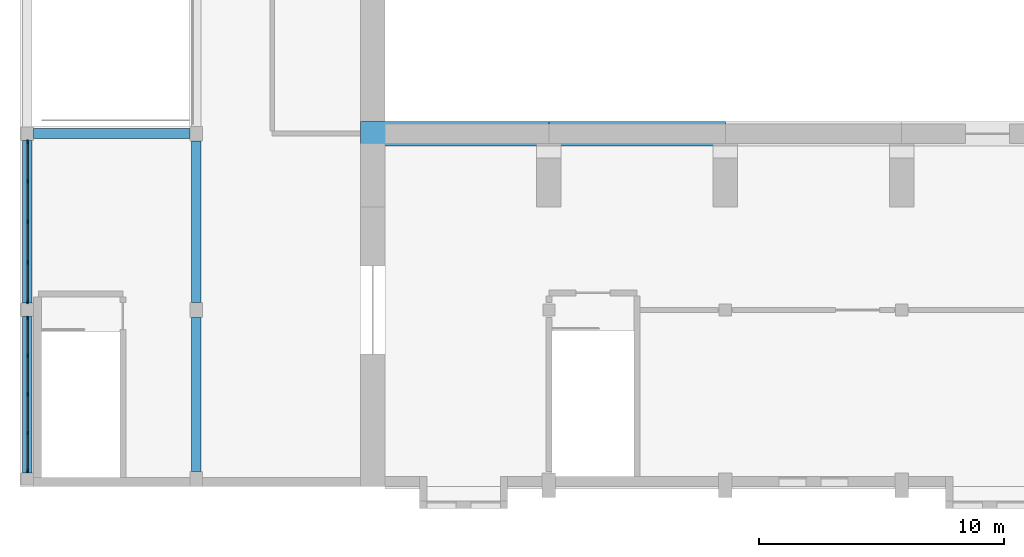
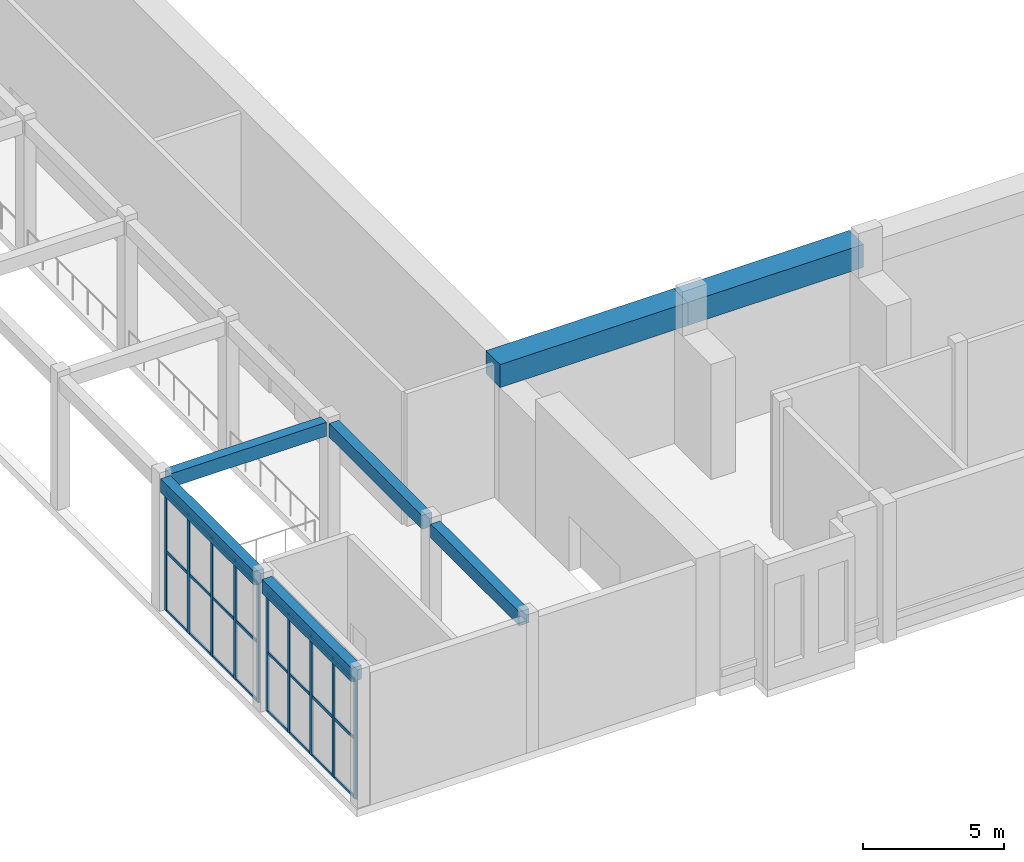
# One storey, part 3 of 44: 34 members, 7 beams, 2 elements without a shape of their own.
"""IFC4 building model written with IfcOpenShell, lengths in metres."""

from ifc_helpers import new_model, si_unit, direction, frame, origin, origin_2d, place, context, subcontext, project, spatial, rectangle, extrude, material, material_profile, profile_set, type_object, element, aggregate, save


model = new_model("IFC4")

# Units and contexts
model_context = context("Model", 3, precision=1e-05, world=origin(), true_north=direction((0.0, 1.0)))
body_context = subcontext(model_context, "Body", "Model", "MODEL_VIEW")
ifc_project = project(units=[si_unit("LENGTHUNIT", "METRE"), si_unit("AREAUNIT", "SQUARE_METRE"), si_unit("VOLUMEUNIT", "CUBIC_METRE"), si_unit("PLANEANGLEUNIT", "RADIAN"), si_unit("MASSUNIT", "GRAM", prefix="KILO")], contexts=[model_context])

# Site, building, storey
site_placement = place(None, origin())
site = spatial("IfcSite", under=ifc_project, at=site_placement, CompositionType="ELEMENT")
building_placement = place(site_placement, origin())
building = spatial("IfcBuilding", under=site, at=building_placement, Name="Vermilion Court Aquatics Centre", CompositionType="ELEMENT")
storey_placement = place(building_placement, frame((0.0, 0.0, 6.0)))
storey = spatial("IfcBuildingStorey", under=building, at=storey_placement, Name="L01", CompositionType="ELEMENT", Elevation=6.0)

# Curtain wall, members
ifc_material_1 = material(Name="Aluminium 6063-T5", Category="aluminium")
curtain_wall_type = type_object("IfcCurtainWallType", Name="Foyer curtain wall", PredefinedType="NOTDEFINED", material=ifc_material_1)
curtain_wall_1_placement = place(storey_placement, origin())
curtain_wall_1 = element("IfcCurtainWall", 1, at=curtain_wall_1_placement, inside=storey, type_object=curtain_wall_type, Name="Foyer curtain wall 1", PredefinedType="NOTDEFINED")
ifc_material_2 = material(Name="Aluminium 6063-T5", Category="aluminium")
ifc_material_profile_1 = material_profile(ifc_material_2, rectangle(XDim=0.06005859375, YDim=0.159912109375, at=origin_2d()), Name="Aluminium 60x160")
ifc_profile_set_1 = profile_set([ifc_material_profile_1], Name="Aluminium 6063-T5")
member_type_1 = type_object("IfcMemberType", Name="Foyer mullion 60x160", PredefinedType="MULLION", material=ifc_profile_set_1)
member_1_placement = place(storey_placement, frame((0.300048828125, 0.6298828125, 0.0), z_axis=(0.0, 0.0, 1.0), x_axis=(-1.0, 0.0, 0.0)))
member_1 = element("IfcMember", 2, at=member_1_placement, type_object=member_type_1, Name="FCW1 mullion 1", PredefinedType="MULLION", context=body_context, shape_type="SweptSolid", body=[
    extrude(rectangle(XDim=0.06005859375, YDim=0.159912109375, at=origin_2d()), origin(), (0.0, 0.0, 1.0), 5.14990234375),
])
member_2_placement = place(storey_placement, frame((0.300048828125, 2.175048828125, 0.0), z_axis=(0.0, 0.0, 1.0), x_axis=(-1.0, 0.0, 0.0)))
member_2 = element("IfcMember", 3, at=member_2_placement, type_object=member_type_1, Name="FCW1 mullion 2", PredefinedType="MULLION", context=body_context, shape_type="SweptSolid", body=[
    extrude(rectangle(XDim=0.06005859375, YDim=0.159912109375, at=origin_2d()), origin(), (0.0, 0.0, 1.0), 5.14990234375),
])
member_3_placement = place(storey_placement, frame((0.300048828125, 3.75, 0.0), z_axis=(0.0, 0.0, 1.0), x_axis=(-1.0, 0.0, 0.0)))
member_3 = element("IfcMember", 4, at=member_3_placement, type_object=member_type_1, Name="FCW1 mullion 3", PredefinedType="MULLION", context=body_context, shape_type="SweptSolid", body=[
    extrude(rectangle(XDim=0.06005859375, YDim=0.159912109375, at=origin_2d()), origin(), (0.0, 0.0, 1.0), 5.14990234375),
])
member_4_placement = place(storey_placement, frame((0.300048828125, 5.324951171875, 0.0), z_axis=(0.0, 0.0, 1.0), x_axis=(-1.0, 0.0, 0.0)))
member_4 = element("IfcMember", 5, at=member_4_placement, type_object=member_type_1, Name="FCW1 mullion 4", PredefinedType="MULLION", context=body_context, shape_type="SweptSolid", body=[
    extrude(rectangle(XDim=0.06005859375, YDim=0.159912109375, at=origin_2d()), origin(), (0.0, 0.0, 1.0), 5.14990234375),
])
member_5_placement = place(storey_placement, frame((0.300048828125, 6.8701171875, 0.0), z_axis=(0.0, 0.0, 1.0), x_axis=(-1.0, 0.0, 0.0)))
member_5 = element("IfcMember", 6, at=member_5_placement, type_object=member_type_1, Name="FCW1 mullion 5", PredefinedType="MULLION", context=body_context, shape_type="SweptSolid", body=[
    extrude(rectangle(XDim=0.06005859375, YDim=0.159912109375, at=origin_2d()), origin(), (0.0, 0.0, 1.0), 5.14990234375),
])

curtain_wall_2_placement = place(storey_placement, origin())
curtain_wall_2 = element("IfcCurtainWall", 7, at=curtain_wall_2_placement, inside=storey, type_object=curtain_wall_type, Name="Foyer curtain wall 2", PredefinedType="NOTDEFINED")
member_6_placement = place(storey_placement, frame((0.300048828125, 7.530029296875, 0.0), z_axis=(0.0, 0.0, 1.0), x_axis=(-1.0, 0.0, 0.0)))
member_6 = element("IfcMember", 8, at=member_6_placement, type_object=member_type_1, Name="FCW1 mullion 1", PredefinedType="MULLION", context=body_context, shape_type="SweptSolid", body=[
    extrude(rectangle(XDim=0.06005859375, YDim=0.159912109375, at=origin_2d()), origin(), (0.0, 0.0, 1.0), 5.14990234375),
])
member_7_placement = place(storey_placement, frame((0.300048828125, 9.14990234375, 0.0), z_axis=(0.0, 0.0, 1.0), x_axis=(-1.0, 0.0, 0.0)))
member_7 = element("IfcMember", 9, at=member_7_placement, type_object=member_type_1, Name="FCW1 mullion 2", PredefinedType="MULLION", context=body_context, shape_type="SweptSolid", body=[
    extrude(rectangle(XDim=0.06005859375, YDim=0.159912109375, at=origin_2d()), origin(), (0.0, 0.0, 1.0), 5.14990234375),
])
member_8_placement = place(storey_placement, frame((0.300048828125, 10.800048828125, 0.0), z_axis=(0.0, 0.0, 1.0), x_axis=(-1.0, 0.0, 0.0)))
member_8 = element("IfcMember", 10, at=member_8_placement, type_object=member_type_1, Name="FCW1 mullion 3", PredefinedType="MULLION", context=body_context, shape_type="SweptSolid", body=[
    extrude(rectangle(XDim=0.06005859375, YDim=0.159912109375, at=origin_2d()), origin(), (0.0, 0.0, 1.0), 5.14990234375),
])
member_9_placement = place(storey_placement, frame((0.300048828125, 12.449951171875, 0.0), z_axis=(0.0, 0.0, 1.0), x_axis=(-1.0, 0.0, 0.0)))
member_9 = element("IfcMember", 11, at=member_9_placement, type_object=member_type_1, Name="FCW1 mullion 4", PredefinedType="MULLION", context=body_context, shape_type="SweptSolid", body=[
    extrude(rectangle(XDim=0.06005859375, YDim=0.159912109375, at=origin_2d()), origin(), (0.0, 0.0, 1.0), 5.14990234375),
])
member_10_placement = place(storey_placement, frame((0.300048828125, 14.070068359375, 0.0), z_axis=(0.0, 0.0, 1.0), x_axis=(-1.0, 0.0, 0.0)))
member_10 = element("IfcMember", 12, at=member_10_placement, type_object=member_type_1, Name="FCW1 mullion 5", PredefinedType="MULLION", context=body_context, shape_type="SweptSolid", body=[
    extrude(rectangle(XDim=0.06005859375, YDim=0.159912109375, at=origin_2d()), origin(), (0.0, 0.0, 1.0), 5.14990234375),
])

# Beams
ifc_material_3 = material(Name="Concrete 5000 psi", Category="concrete")
ifc_material_profile_2 = material_profile(ifc_material_3, rectangle(XDim=0.39990234375, YDim=0.60009765625, at=origin_2d()), Name="RC 400x600")
ifc_profile_set_2 = profile_set([ifc_material_profile_2], Name="Concrete 5000 psi")
beam_type_1 = type_object("IfcBeamType", Name="Foyer roof beam RC 400x600", PredefinedType="BEAM", material=ifc_profile_set_2)
beam_1_placement = place(storey_placement, frame((0.300048828125, 0.550048828125, 5.449951171875), z_axis=(0.0, 1.0, 0.0), x_axis=(-1.0, 0.0, 0.0)))
element("IfcBeam", 13, at=beam_1_placement, inside=storey, type_object=beam_type_1, Name="Foyer roof beam", PredefinedType="BEAM", context=body_context, shape_type="SweptSolid", body=[
    extrude(rectangle(XDim=0.39990234375, YDim=0.60009765625, at=origin_2d()), origin(), (0.0, 0.0, 1.0), 6.375),
])
beam_2_placement = place(storey_placement, frame((0.300048828125, 7.47509765625, 5.449951171875), z_axis=(0.0, 1.0, 0.0), x_axis=(-1.0, 0.0, 0.0)))
element("IfcBeam", 14, at=beam_2_placement, inside=storey, type_object=beam_type_1, Name="Foyer roof beam", PredefinedType="BEAM", context=body_context, shape_type="SweptSolid", body=[
    extrude(rectangle(XDim=0.39990234375, YDim=0.60009765625, at=origin_2d()), origin(), (0.0, 0.0, 1.0), 6.64990234375),
])
beam_3_placement = place(storey_placement, frame((7.199951171875, 0.60009765625, 5.449951171875), z_axis=(0.0, 1.0, 0.0), x_axis=(-1.0, 0.0, 0.0)))
element("IfcBeam", 15, at=beam_3_placement, inside=storey, type_object=beam_type_1, Name="Foyer roof beam", PredefinedType="BEAM", context=body_context, shape_type="SweptSolid", body=[
    extrude(rectangle(XDim=0.39990234375, YDim=0.60009765625, at=origin_2d()), origin(), (0.0, 0.0, 1.0), 6.2998046875),
])
beam_4_placement = place(storey_placement, frame((7.199951171875, 7.5, 5.449951171875), z_axis=(0.0, 1.0, 0.0), x_axis=(-1.0, 0.0, 0.0)))
element("IfcBeam", 16, at=beam_4_placement, inside=storey, type_object=beam_type_1, Name="Foyer roof beam", PredefinedType="BEAM", context=body_context, shape_type="SweptSolid", body=[
    extrude(rectangle(XDim=0.39990234375, YDim=0.60009765625, at=origin_2d()), origin(), (0.0, 0.0, 1.0), 6.60009765625),
])
beam_5_placement = place(storey_placement, frame((0.550048828125, 14.39990234375, 5.449951171875), z_axis=(1.0, 0.0, 0.0), x_axis=(0.0, 1.0, 0.0)))
element("IfcBeam", 17, at=beam_5_placement, inside=storey, type_object=beam_type_1, Name="Foyer roof beam", PredefinedType="BEAM", context=body_context, shape_type="SweptSolid", body=[
    extrude(rectangle(XDim=0.39990234375, YDim=0.60009765625, at=origin_2d()), origin(), (0.0, 0.0, 1.0), 6.39990234375),
])

# Member
ifc_material_4 = material(Name="Aluminium 6063-T5", Category="aluminium")
ifc_material_profile_3 = material_profile(ifc_material_4, rectangle(XDim=0.06005859375, YDim=0.1201171875, at=origin_2d()), Name="Aluminium 60x120")
ifc_profile_set_3 = profile_set([ifc_material_profile_3], Name="Aluminium 6063-T5")
member_type_2 = type_object("IfcMemberType", Name="Foyer transom 60x120", PredefinedType="USERDEFINED", material=ifc_profile_set_3)
member_11_placement = place(storey_placement, frame((0.300048828125, 0.659912109375, 0.030029296875), z_axis=(0.0, 1.0, 0.0), x_axis=(-1.0, 0.0, 0.0)))
member_11 = element("IfcMember", 18, at=member_11_placement, type_object=member_type_2, Name="FCW1 transom 1.1", ObjectType="TRANSOM", PredefinedType="USERDEFINED", context=body_context, shape_type="SweptSolid", body=[
    extrude(rectangle(XDim=0.06005859375, YDim=0.1201171875, at=origin_2d()), origin(), (0.0, 0.0, 1.0), 1.485107421875),
])

member_12_placement = place(storey_placement, frame((0.300048828125, 0.659912109375, 2.574951171875), z_axis=(0.0, 1.0, 0.0), x_axis=(-1.0, 0.0, 0.0)))
member_12 = element("IfcMember", 19, at=member_12_placement, type_object=member_type_2, Name="FCW1 transom 1.2", ObjectType="TRANSOM", PredefinedType="USERDEFINED", context=body_context, shape_type="SweptSolid", body=[
    extrude(rectangle(XDim=0.06005859375, YDim=0.1201171875, at=origin_2d()), origin(), (0.0, 0.0, 1.0), 1.485107421875),
])

member_13_placement = place(storey_placement, frame((0.300048828125, 0.659912109375, 5.1201171875), z_axis=(0.0, 1.0, 0.0), x_axis=(-1.0, 0.0, 0.0)))
member_13 = element("IfcMember", 20, at=member_13_placement, type_object=member_type_2, Name="FCW1 transom 1.3", ObjectType="TRANSOM", PredefinedType="USERDEFINED", context=body_context, shape_type="SweptSolid", body=[
    extrude(rectangle(XDim=0.06005859375, YDim=0.1201171875, at=origin_2d()), origin(), (0.0, 0.0, 1.0), 1.485107421875),
])

member_14_placement = place(storey_placement, frame((0.300048828125, 2.205078125, 0.030029296875), z_axis=(0.0, 1.0, 0.0), x_axis=(-1.0, 0.0, 0.0)))
member_14 = element("IfcMember", 21, at=member_14_placement, type_object=member_type_2, Name="FCW1 transom 2.1", ObjectType="TRANSOM", PredefinedType="USERDEFINED", context=body_context, shape_type="SweptSolid", body=[
    extrude(rectangle(XDim=0.06005859375, YDim=0.1201171875, at=origin_2d()), origin(), (0.0, 0.0, 1.0), 1.514892578125),
])

member_15_placement = place(storey_placement, frame((0.300048828125, 2.205078125, 2.574951171875), z_axis=(0.0, 1.0, 0.0), x_axis=(-1.0, 0.0, 0.0)))
member_15 = element("IfcMember", 22, at=member_15_placement, type_object=member_type_2, Name="FCW1 transom 2.2", ObjectType="TRANSOM", PredefinedType="USERDEFINED", context=body_context, shape_type="SweptSolid", body=[
    extrude(rectangle(XDim=0.06005859375, YDim=0.1201171875, at=origin_2d()), origin(), (0.0, 0.0, 1.0), 1.514892578125),
])

member_16_placement = place(storey_placement, frame((0.300048828125, 2.205078125, 5.1201171875), z_axis=(0.0, 1.0, 0.0), x_axis=(-1.0, 0.0, 0.0)))
member_16 = element("IfcMember", 23, at=member_16_placement, type_object=member_type_2, Name="FCW1 transom 2.3", ObjectType="TRANSOM", PredefinedType="USERDEFINED", context=body_context, shape_type="SweptSolid", body=[
    extrude(rectangle(XDim=0.06005859375, YDim=0.1201171875, at=origin_2d()), origin(), (0.0, 0.0, 1.0), 1.514892578125),
])

member_17_placement = place(storey_placement, frame((0.300048828125, 3.780029296875, 0.030029296875), z_axis=(0.0, 1.0, 0.0), x_axis=(-1.0, 0.0, 0.0)))
member_17 = element("IfcMember", 24, at=member_17_placement, type_object=member_type_2, Name="FCW1 transom 3.1", ObjectType="TRANSOM", PredefinedType="USERDEFINED", context=body_context, shape_type="SweptSolid", body=[
    extrude(rectangle(XDim=0.06005859375, YDim=0.1201171875, at=origin_2d()), origin(), (0.0, 0.0, 1.0), 1.514892578125),
])

member_18_placement = place(storey_placement, frame((0.300048828125, 3.780029296875, 2.574951171875), z_axis=(0.0, 1.0, 0.0), x_axis=(-1.0, 0.0, 0.0)))
member_18 = element("IfcMember", 25, at=member_18_placement, type_object=member_type_2, Name="FCW1 transom 3.2", ObjectType="TRANSOM", PredefinedType="USERDEFINED", context=body_context, shape_type="SweptSolid", body=[
    extrude(rectangle(XDim=0.06005859375, YDim=0.1201171875, at=origin_2d()), origin(), (0.0, 0.0, 1.0), 1.514892578125),
])

member_19_placement = place(storey_placement, frame((0.300048828125, 3.780029296875, 5.1201171875), z_axis=(0.0, 1.0, 0.0), x_axis=(-1.0, 0.0, 0.0)))
member_19 = element("IfcMember", 26, at=member_19_placement, type_object=member_type_2, Name="FCW1 transom 3.3", ObjectType="TRANSOM", PredefinedType="USERDEFINED", context=body_context, shape_type="SweptSolid", body=[
    extrude(rectangle(XDim=0.06005859375, YDim=0.1201171875, at=origin_2d()), origin(), (0.0, 0.0, 1.0), 1.514892578125),
])

member_20_placement = place(storey_placement, frame((0.300048828125, 5.35498046875, 0.030029296875), z_axis=(0.0, 1.0, 0.0), x_axis=(-1.0, 0.0, 0.0)))
member_20 = element("IfcMember", 27, at=member_20_placement, type_object=member_type_2, Name="FCW1 transom 4.1", ObjectType="TRANSOM", PredefinedType="USERDEFINED", context=body_context, shape_type="SweptSolid", body=[
    extrude(rectangle(XDim=0.06005859375, YDim=0.1201171875, at=origin_2d()), origin(), (0.0, 0.0, 1.0), 1.485107421875),
])

member_21_placement = place(storey_placement, frame((0.300048828125, 5.35498046875, 2.574951171875), z_axis=(0.0, 1.0, 0.0), x_axis=(-1.0, 0.0, 0.0)))
member_21 = element("IfcMember", 28, at=member_21_placement, type_object=member_type_2, Name="FCW1 transom 4.2", ObjectType="TRANSOM", PredefinedType="USERDEFINED", context=body_context, shape_type="SweptSolid", body=[
    extrude(rectangle(XDim=0.06005859375, YDim=0.1201171875, at=origin_2d()), origin(), (0.0, 0.0, 1.0), 1.485107421875),
])

member_22_placement = place(storey_placement, frame((0.300048828125, 5.35498046875, 5.1201171875), z_axis=(0.0, 1.0, 0.0), x_axis=(-1.0, 0.0, 0.0)))
member_22 = element("IfcMember", 29, at=member_22_placement, type_object=member_type_2, Name="FCW1 transom 4.3", ObjectType="TRANSOM", PredefinedType="USERDEFINED", context=body_context, shape_type="SweptSolid", body=[
    extrude(rectangle(XDim=0.06005859375, YDim=0.1201171875, at=origin_2d()), origin(), (0.0, 0.0, 1.0), 1.485107421875),
])

aggregate(curtain_wall_1, [member_1, member_2, member_3, member_4, member_5, member_11, member_12, member_13, member_14, member_15, member_16, member_17, member_18, member_19, member_20, member_21, member_22])

member_23_placement = place(storey_placement, frame((0.300048828125, 7.56005859375, 0.030029296875), z_axis=(0.0, 1.0, 0.0), x_axis=(-1.0, 0.0, 0.0)))
member_23 = element("IfcMember", 30, at=member_23_placement, type_object=member_type_2, Name="FCW1 transom 1.1", ObjectType="TRANSOM", PredefinedType="USERDEFINED", context=body_context, shape_type="SweptSolid", body=[
    extrude(rectangle(XDim=0.06005859375, YDim=0.1201171875, at=origin_2d()), origin(), (0.0, 0.0, 1.0), 1.56005859375),
])

member_24_placement = place(storey_placement, frame((0.300048828125, 7.56005859375, 2.574951171875), z_axis=(0.0, 1.0, 0.0), x_axis=(-1.0, 0.0, 0.0)))
member_24 = element("IfcMember", 31, at=member_24_placement, type_object=member_type_2, Name="FCW1 transom 1.2", ObjectType="TRANSOM", PredefinedType="USERDEFINED", context=body_context, shape_type="SweptSolid", body=[
    extrude(rectangle(XDim=0.06005859375, YDim=0.1201171875, at=origin_2d()), origin(), (0.0, 0.0, 1.0), 1.56005859375),
])

member_25_placement = place(storey_placement, frame((0.300048828125, 7.56005859375, 5.1201171875), z_axis=(0.0, 1.0, 0.0), x_axis=(-1.0, 0.0, 0.0)))
member_25 = element("IfcMember", 32, at=member_25_placement, type_object=member_type_2, Name="FCW1 transom 1.3", ObjectType="TRANSOM", PredefinedType="USERDEFINED", context=body_context, shape_type="SweptSolid", body=[
    extrude(rectangle(XDim=0.06005859375, YDim=0.1201171875, at=origin_2d()), origin(), (0.0, 0.0, 1.0), 1.56005859375),
])

member_26_placement = place(storey_placement, frame((0.300048828125, 9.179931640625, 0.030029296875), z_axis=(0.0, 1.0, 0.0), x_axis=(-1.0, 0.0, 0.0)))
member_26 = element("IfcMember", 33, at=member_26_placement, type_object=member_type_2, Name="FCW1 transom 2.1", ObjectType="TRANSOM", PredefinedType="USERDEFINED", context=body_context, shape_type="SweptSolid", body=[
    extrude(rectangle(XDim=0.06005859375, YDim=0.1201171875, at=origin_2d()), origin(), (0.0, 0.0, 1.0), 1.590087890625),
])

member_27_placement = place(storey_placement, frame((0.300048828125, 9.179931640625, 2.574951171875), z_axis=(0.0, 1.0, 0.0), x_axis=(-1.0, 0.0, 0.0)))
member_27 = element("IfcMember", 34, at=member_27_placement, type_object=member_type_2, Name="FCW1 transom 2.2", ObjectType="TRANSOM", PredefinedType="USERDEFINED", context=body_context, shape_type="SweptSolid", body=[
    extrude(rectangle(XDim=0.06005859375, YDim=0.1201171875, at=origin_2d()), origin(), (0.0, 0.0, 1.0), 1.590087890625),
])

member_28_placement = place(storey_placement, frame((0.300048828125, 9.179931640625, 5.1201171875), z_axis=(0.0, 1.0, 0.0), x_axis=(-1.0, 0.0, 0.0)))
member_28 = element("IfcMember", 35, at=member_28_placement, type_object=member_type_2, Name="FCW1 transom 2.3", ObjectType="TRANSOM", PredefinedType="USERDEFINED", context=body_context, shape_type="SweptSolid", body=[
    extrude(rectangle(XDim=0.06005859375, YDim=0.1201171875, at=origin_2d()), origin(), (0.0, 0.0, 1.0), 1.590087890625),
])

member_29_placement = place(storey_placement, frame((0.300048828125, 10.830078125, 0.030029296875), z_axis=(0.0, 1.0, 0.0), x_axis=(-1.0, 0.0, 0.0)))
member_29 = element("IfcMember", 36, at=member_29_placement, type_object=member_type_2, Name="FCW1 transom 3.1", ObjectType="TRANSOM", PredefinedType="USERDEFINED", context=body_context, shape_type="SweptSolid", body=[
    extrude(rectangle(XDim=0.06005859375, YDim=0.1201171875, at=origin_2d()), origin(), (0.0, 0.0, 1.0), 1.58984375),
])

member_30_placement = place(storey_placement, frame((0.300048828125, 10.830078125, 2.574951171875), z_axis=(0.0, 1.0, 0.0), x_axis=(-1.0, 0.0, 0.0)))
member_30 = element("IfcMember", 37, at=member_30_placement, type_object=member_type_2, Name="FCW1 transom 3.2", ObjectType="TRANSOM", PredefinedType="USERDEFINED", context=body_context, shape_type="SweptSolid", body=[
    extrude(rectangle(XDim=0.06005859375, YDim=0.1201171875, at=origin_2d()), origin(), (0.0, 0.0, 1.0), 1.58984375),
])

member_31_placement = place(storey_placement, frame((0.300048828125, 10.830078125, 5.1201171875), z_axis=(0.0, 1.0, 0.0), x_axis=(-1.0, 0.0, 0.0)))
member_31 = element("IfcMember", 38, at=member_31_placement, type_object=member_type_2, Name="FCW1 transom 3.3", ObjectType="TRANSOM", PredefinedType="USERDEFINED", context=body_context, shape_type="SweptSolid", body=[
    extrude(rectangle(XDim=0.06005859375, YDim=0.1201171875, at=origin_2d()), origin(), (0.0, 0.0, 1.0), 1.58984375),
])

member_32_placement = place(storey_placement, frame((0.300048828125, 12.47998046875, 0.030029296875), z_axis=(0.0, 1.0, 0.0), x_axis=(-1.0, 0.0, 0.0)))
member_32 = element("IfcMember", 39, at=member_32_placement, type_object=member_type_2, Name="FCW1 transom 4.1", ObjectType="TRANSOM", PredefinedType="USERDEFINED", context=body_context, shape_type="SweptSolid", body=[
    extrude(rectangle(XDim=0.06005859375, YDim=0.1201171875, at=origin_2d()), origin(), (0.0, 0.0, 1.0), 1.56005859375),
])

member_33_placement = place(storey_placement, frame((0.300048828125, 12.47998046875, 2.574951171875), z_axis=(0.0, 1.0, 0.0), x_axis=(-1.0, 0.0, 0.0)))
member_33 = element("IfcMember", 40, at=member_33_placement, type_object=member_type_2, Name="FCW1 transom 4.2", ObjectType="TRANSOM", PredefinedType="USERDEFINED", context=body_context, shape_type="SweptSolid", body=[
    extrude(rectangle(XDim=0.06005859375, YDim=0.1201171875, at=origin_2d()), origin(), (0.0, 0.0, 1.0), 1.56005859375),
])

member_34_placement = place(storey_placement, frame((0.300048828125, 12.47998046875, 5.1201171875), z_axis=(0.0, 1.0, 0.0), x_axis=(-1.0, 0.0, 0.0)))
member_34 = element("IfcMember", 41, at=member_34_placement, type_object=member_type_2, Name="FCW1 transom 4.3", ObjectType="TRANSOM", PredefinedType="USERDEFINED", context=body_context, shape_type="SweptSolid", body=[
    extrude(rectangle(XDim=0.06005859375, YDim=0.1201171875, at=origin_2d()), origin(), (0.0, 0.0, 1.0), 1.56005859375),
])

aggregate(curtain_wall_2, [member_6, member_7, member_8, member_9, member_10, member_23, member_24, member_25, member_26, member_27, member_28, member_29, member_30, member_31, member_32, member_33, member_34])

# Beams
ifc_material_5 = material(Name="Concrete 5000 psi", Category="concrete")
ifc_material_profile_4 = material_profile(ifc_material_5, rectangle(XDim=1.0, YDim=1.0, at=origin_2d()), Name="RC 1000x1000")
ifc_profile_set_4 = profile_set([ifc_material_profile_4], Name="Concrete 5000 psi")
beam_type_2 = type_object("IfcBeamType", Name="Roof springing tie beam south (bearing on the hall wall)", PredefinedType="BEAM", material=ifc_profile_set_4)
beam_6_placement = place(storey_placement, frame((13.89990234375, 14.39990234375, 5.5), z_axis=(1.0, 0.0, 0.0), x_axis=(0.0, 1.0, 0.0)))
element("IfcBeam", 42, at=beam_6_placement, inside=storey, type_object=beam_type_2, Name="Springing tie beam STS01", PredefinedType="BEAM", context=body_context, shape_type="SweptSolid", body=[
    extrude(rectangle(XDim=1.0, YDim=1.0, at=origin_2d()), origin(), (0.0, 0.0, 1.0), 7.7001953125),
])
beam_7_placement = place(storey_placement, frame((21.60009765625, 14.39990234375, 5.5), z_axis=(1.0, 0.0, 0.0), x_axis=(0.0, 1.0, 0.0)))
element("IfcBeam", 43, at=beam_7_placement, inside=storey, type_object=beam_type_2, Name="Springing tie beam STS02", PredefinedType="BEAM", context=body_context, shape_type="SweptSolid", body=[
    extrude(rectangle(XDim=1.0, YDim=1.0, at=origin_2d()), origin(), (0.0, 0.0, 1.0), 7.199951171875),
])

save(model, "model.ifc")
